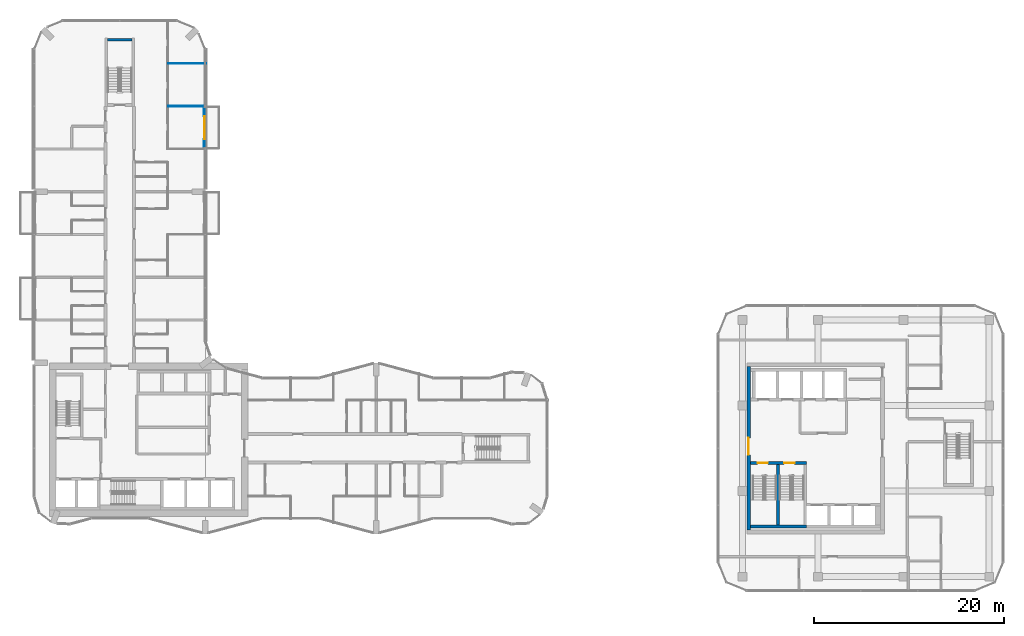
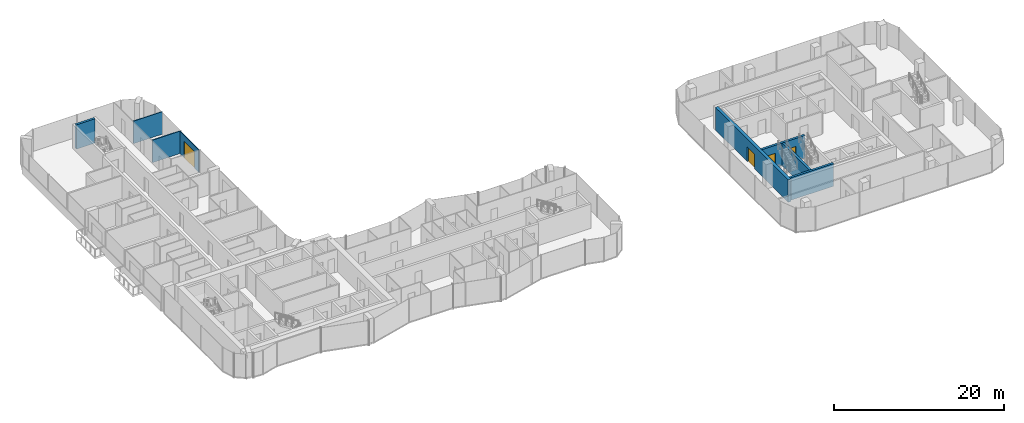
# One storey, part 17 of 23: 8 walls, 4 doors, 4 openings.
"""IFC4 building model written with IfcOpenShell, lengths in metres."""

from ifc_helpers import new_model, si_unit, direction, frame, frame_2d, origin, place, context, subcontext, project, spatial, rectangle, extrude, material, layer, layer_set, type_object, element, fill, save


model = new_model("IFC4")

# Units and contexts
model_context = context("Model", 3, precision=1e-05, world=origin(), true_north=direction((0.0, 1.0)))
body_context = subcontext(model_context, "Body", "Model", "MODEL_VIEW")
ifc_project = project(units=[si_unit("LENGTHUNIT", "METRE"), si_unit("AREAUNIT", "SQUARE_METRE"), si_unit("VOLUMEUNIT", "CUBIC_METRE"), si_unit("PLANEANGLEUNIT", "RADIAN"), si_unit("MASSUNIT", "GRAM", prefix="KILO")], contexts=[model_context])

# Site, building, storey
site_placement = place(None, origin())
site = spatial("IfcSite", under=ifc_project, at=site_placement, CompositionType="ELEMENT")
building_placement = place(site_placement, origin())
building = spatial("IfcBuilding", under=site, at=building_placement, Name="Plateau Cross Towers", CompositionType="ELEMENT")
storey_placement = place(building_placement, frame((0.0, 0.0, 92.300048828125)))
storey = spatial("IfcBuildingStorey", under=building, at=storey_placement, Name="L23", CompositionType="ELEMENT", Elevation=92.300048828125)

# Wall, opening, door
ifc_material_1 = material(Name="Aluminium framed glazing", Category="aluminium")
ifc_layer_1 = layer(ifc_material_1, 0.10009765625)
ifc_layer_set_1 = layer_set([ifc_layer_1], Name="Aluminium framed glazing")
wall_type_1 = type_object("IfcWallType", Name="Balcony screen wall 100", PredefinedType="STANDARD", material=ifc_layer_set_1)
wall_1_placement = place(storey_placement, frame((17.89990234375, 45.0, 0.0), z_axis=(0.0, 0.0, 1.0), x_axis=(0.0, -1.0, 0.0)))
wall_1 = element("IfcWall", 1, at=wall_1_placement, inside=storey, type_object=wall_type_1, Name="Balcony screen wall A-BAL-L23-04", PredefinedType="STANDARD", context=body_context, shape_type="SweptSolid", body=[
    extrude(rectangle(XDim=4.5, YDim=0.10009765625, at=frame_2d((2.25, 0.0))), origin(), (0.0, 0.0, 1.0), 3.25),
])
opening_1_placement = place(wall_1_placement, frame((1.050048828125, 0.0, 0.0)))
opening_1 = element("IfcOpeningElement", 2, at=opening_1_placement, cuts=wall_1, Name="Opening D-B24", PredefinedType="OPENING", context=body_context, shape_type="SweptSolid", body=[
    extrude(rectangle(XDim=2.39990234375, YDim=2.39990234375, at=frame_2d((1.199951171875, 1.199951171875))), frame((0.0, 0.06005859375, 0.0), z_axis=(0.0, -1.0, 0.0), x_axis=(1.0, 0.0, 0.0)), (0.0, 0.0, 1.0), 0.1201171875),
])
ifc_material_2 = material(Name="Aluminium frame, double glazing", Category="aluminium")
door_type_1 = type_object("IfcDoorType", Name="Balcony sliding door 2400", OperationType="NOTDEFINED", PredefinedType="DOOR", material=ifc_material_2)
door_1_placement = place(opening_1_placement, origin())
door_1 = element("IfcDoor", 3, at=door_1_placement, inside=storey, type_object=door_type_1, Name="Balcony door A-BAL-L23-04", OperationType="SINGLE_SWING_LEFT", OverallHeight=2.39990234375, OverallWidth=2.39990234375, PredefinedType="DOOR", context=body_context, shape_type="SweptSolid", body=[
    extrude(rectangle(XDim=2.39990234375, YDim=2.39990234375, at=frame_2d((1.199951171875, 1.199951171875))), frame((0.0, 0.02490234375, 0.0), z_axis=(0.0, -1.0, 0.0), x_axis=(1.0, 0.0, 0.0)), (0.0, 0.0, 1.0), 0.050048828125),
])
fill(opening_1, door_1)

# Wall
ifc_material_3 = material(Name="Concrete C60/75", Category="concrete")
ifc_layer_2 = layer(ifc_material_3, 0.300048828125)
ifc_layer_set_2 = layer_set([ifc_layer_2], Name="Concrete C60/75")
wall_type_2 = type_object("IfcWallType", Name="Core shaft wall 300", PredefinedType="SHEAR", material=ifc_layer_set_2)
wall_2_placement = place(storey_placement, frame((75.3798828125, 0.75, 0.0), z_axis=(0.0, 0.0, 1.0), x_axis=(1.0, 0.0, 0.0)))
element("IfcWall", 4, at=wall_2_placement, inside=storey, type_object=wall_type_2, Name="B-sb-stS@L23", PredefinedType="SHEAR", context=body_context, shape_type="SweptSolid", body=[
    extrude(rectangle(XDim=5.920166015625, YDim=0.300048828125, at=frame_2d((2.9599609375, 0.0))), origin(), (0.0, 0.0, 1.0), 3.25),
])

# Wall, openings, doors
wall_3_placement = place(storey_placement, frame((75.3798828125, 7.449951171875, 0.0), z_axis=(0.0, 0.0, 1.0), x_axis=(1.0, 0.0, 0.0)))
wall_3 = element("IfcWall", 5, at=wall_3_placement, inside=storey, type_object=wall_type_2, Name="B-sb-stN@L23", PredefinedType="SHEAR", context=body_context, shape_type="SweptSolid", body=[
    extrude(rectangle(XDim=5.920166015625, YDim=0.300048828125, at=frame_2d((2.9599609375, 0.0))), origin(), (0.0, 0.0, 1.0), 3.25),
])
opening_2_placement = place(wall_3_placement, frame((0.75, 0.0, 0.0)))
opening_2 = element("IfcOpeningElement", 6, at=opening_2_placement, cuts=wall_3, Name="Opening SD", PredefinedType="OPENING", context=body_context, shape_type="SweptSolid", body=[
    extrude(rectangle(XDim=1.10009765625, YDim=2.10009765625, at=frame_2d((0.550048828125, 1.050048828125))), frame((0.0, 0.159912109375, 0.0), z_axis=(0.0, -1.0, 0.0), x_axis=(1.0, 0.0, 0.0)), (0.0, 0.0, 1.0), 0.320068359375),
])
opening_3_placement = place(wall_3_placement, frame((3.550048828125, 0.0, 0.0)))
opening_3 = element("IfcOpeningElement", 7, at=opening_3_placement, cuts=wall_3, Name="Opening SD", PredefinedType="OPENING", context=body_context, shape_type="SweptSolid", body=[
    extrude(rectangle(XDim=1.10009765625, YDim=2.10009765625, at=frame_2d((0.550048828125, 1.050048828125))), frame((0.0, 0.159912109375, 0.0), z_axis=(0.0, -1.0, 0.0), x_axis=(1.0, 0.0, 0.0)), (0.0, 0.0, 1.0), 0.320068359375),
])
ifc_material_4 = material(Name="Steel, fire-resisting leaf", Category="steel")
door_type_2 = type_object("IfcDoorType", Name="Stair door 1100", OperationType="NOTDEFINED", PredefinedType="DOOR", material=ifc_material_4)
door_2_placement = place(opening_2_placement, origin())
door_2 = element("IfcDoor", 8, at=door_2_placement, inside=storey, type_object=door_type_2, Name="Stair door SD", OperationType="SINGLE_SWING_RIGHT", OverallHeight=2.10009765625, OverallWidth=1.10009765625, PredefinedType="DOOR", context=body_context, shape_type="SweptSolid", body=[
    extrude(rectangle(XDim=1.10009765625, YDim=2.10009765625, at=frame_2d((0.550048828125, 1.050048828125))), frame((0.0, 0.02490234375, 0.0), z_axis=(0.0, -1.0, 0.0), x_axis=(1.0, 0.0, 0.0)), (0.0, 0.0, 1.0), 0.050048828125),
])
fill(opening_2, door_2)
door_3_placement = place(opening_3_placement, origin())
door_3 = element("IfcDoor", 9, at=door_3_placement, inside=storey, type_object=door_type_2, Name="Stair door SD", OperationType="SINGLE_SWING_LEFT", OverallHeight=2.10009765625, OverallWidth=1.10009765625, PredefinedType="DOOR", context=body_context, shape_type="SweptSolid", body=[
    extrude(rectangle(XDim=1.10009765625, YDim=2.10009765625, at=frame_2d((0.550048828125, 1.050048828125))), frame((0.0, 0.02490234375, 0.0), z_axis=(0.0, -1.0, 0.0), x_axis=(1.0, 0.0, 0.0)), (0.0, 0.0, 1.0), 0.050048828125),
])
fill(opening_3, door_3)

# Wall
wall_4_placement = place(storey_placement, frame((78.300048828125, 0.89990234375, 0.0), z_axis=(0.0, 0.0, 1.0), x_axis=(0.0, 1.0, 0.0)))
element("IfcWall", 10, at=wall_4_placement, inside=storey, type_object=wall_type_2, Name="B-sb-st1@L23", PredefinedType="SHEAR", context=body_context, shape_type="SweptSolid", body=[
    extrude(rectangle(XDim=6.400146484375, YDim=0.300048828125, at=frame_2d((3.2001953125, 0.0))), origin(), (0.0, 0.0, 1.0), 3.25),
])

# Wall, opening, door
ifc_layer_3 = layer(ifc_material_3, 0.39990234375)
ifc_layer_set_3 = layer_set([ifc_layer_3], Name="Concrete C60/75")
wall_type_3 = type_object("IfcWallType", Name="Core shell wall 400", PredefinedType="SHEAR", material=ifc_layer_set_3)
wall_5_placement = place(storey_placement, frame((75.199951171875, 0.39990234375, 0.0), z_axis=(0.0, 0.0, 1.0), x_axis=(0.0, 1.0, 0.0)))
wall_5 = element("IfcWall", 11, at=wall_5_placement, inside=storey, type_object=wall_type_3, Name="B-core-W@L23", PredefinedType="SHEAR", context=body_context, shape_type="SweptSolid", body=[
    extrude(rectangle(XDim=17.2001953125, YDim=0.39990234375, at=frame_2d((8.60009765625, 0.0))), origin(), (0.0, 0.0, 1.0), 3.25),
])
opening_4_placement = place(wall_5_placement, frame((7.89990234375, 0.0, 0.0)))
opening_4 = element("IfcOpeningElement", 12, at=opening_4_placement, cuts=wall_5, Name="Opening CD", PredefinedType="OPENING", context=body_context, shape_type="SweptSolid", body=[
    extrude(rectangle(XDim=1.800048828125, YDim=2.10009765625, at=frame_2d((0.89990234375, 1.050048828125))), frame((0.0, 0.2099609375, 0.0), z_axis=(0.0, -1.0, 0.0), x_axis=(1.0, 0.0, 0.0)), (0.0, 0.0, 1.0), 0.419921875),
])
ifc_material_5 = material(Name="Steel, fire-resisting leaves", Category="steel")
door_type_3 = type_object("IfcDoorType", Name="Corridor door pair 1800", OperationType="NOTDEFINED", PredefinedType="DOOR", material=ifc_material_5)
door_4_placement = place(opening_4_placement, origin())
door_4 = element("IfcDoor", 13, at=door_4_placement, inside=storey, type_object=door_type_3, Name="Corridor door pair CD", OperationType="DOUBLE_DOOR_SINGLE_SWING", OverallHeight=2.10009765625, OverallWidth=1.800048828125, PredefinedType="DOOR", context=body_context, shape_type="SweptSolid", body=[
    extrude(rectangle(XDim=1.800048828125, YDim=2.10009765625, at=frame_2d((0.89990234375, 1.050048828125))), frame((0.0, 0.02490234375, 0.0), z_axis=(0.0, -1.0, 0.0), x_axis=(1.0, 0.0, 0.0)), (0.0, 0.0, 1.0), 0.050048828125),
])
fill(opening_4, door_4)

# Walls
ifc_material_6 = material(Name="Gypsum board on steel studs", Category="steel")
ifc_layer_4 = layer(ifc_material_6, 0.10009765625)
ifc_layer_set_4 = layer_set([ifc_layer_4], Name="Gypsum board on steel studs")
wall_type_4 = type_object("IfcWallType", Name="Flat partition 100", PredefinedType="PARTITIONING", material=ifc_layer_set_4)
wall_6_placement = place(storey_placement, frame((17.85009765625, 45.0, 0.0), z_axis=(0.0, 0.0, 1.0), x_axis=(-1.0, 0.0, 0.0)))
element("IfcWall", 14, at=wall_6_placement, inside=storey, type_object=wall_type_4, Name="Partition wall", PredefinedType="PARTITIONING", context=body_context, shape_type="SweptSolid", body=[
    extrude(rectangle(XDim=3.737548828125, YDim=0.10009765625, at=frame_2d((1.86865234375, 0.0))), origin(), (0.0, 0.0, 1.0), 3.25),
])
wall_7_placement = place(storey_placement, frame((18.080078125, 49.5, 0.0), z_axis=(0.0, 0.0, 1.0), x_axis=(-1.0, 0.0, 0.0)))
element("IfcWall", 15, at=wall_7_placement, inside=storey, type_object=wall_type_4, Name="Partition wall", PredefinedType="PARTITIONING", context=body_context, shape_type="SweptSolid", body=[
    extrude(rectangle(XDim=3.967529296875, YDim=0.10009765625, at=frame_2d((1.98388671875, 0.0))), origin(), (0.0, 0.0, 1.0), 3.25),
])
ifc_layer_5 = layer(ifc_material_3, 0.300048828125)
ifc_layer_set_5 = layer_set([ifc_layer_5], Name="Concrete C60/75")
wall_type_5 = type_object("IfcWallType", Name="Stair tower wall 300", PredefinedType="SHEAR", material=ifc_layer_set_5)
wall_8_placement = place(storey_placement, frame((7.72509765625, 52.0, 0.0), z_axis=(0.0, 0.0, 1.0), x_axis=(1.0, 0.0, 0.0)))
element("IfcWall", 16, at=wall_8_placement, inside=storey, type_object=wall_type_5, Name="A-end-N-N@L23", PredefinedType="SHEAR", context=body_context, shape_type="SweptSolid", body=[
    extrude(rectangle(XDim=2.5498046875, YDim=0.300048828125, at=frame_2d((1.27490234375, 0.0))), origin(), (0.0, 0.0, 1.0), 3.5),
])

save(model, "model.ifc")
